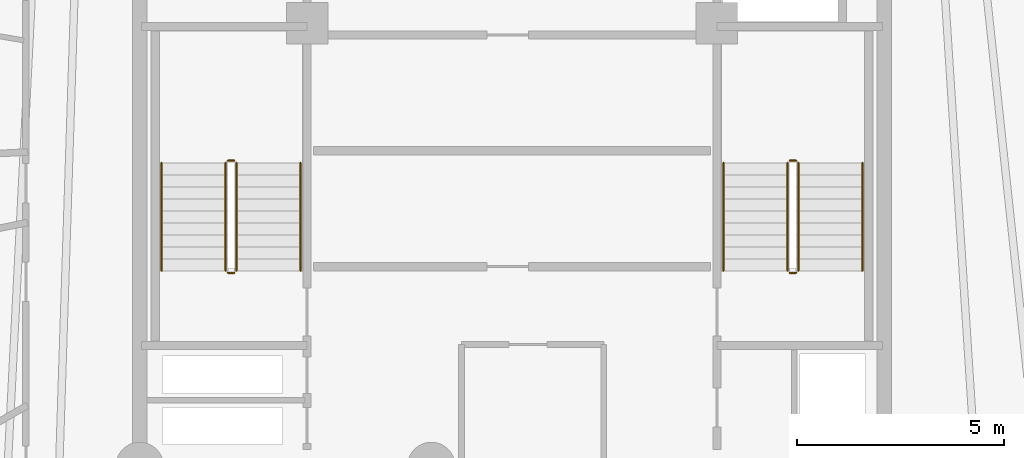
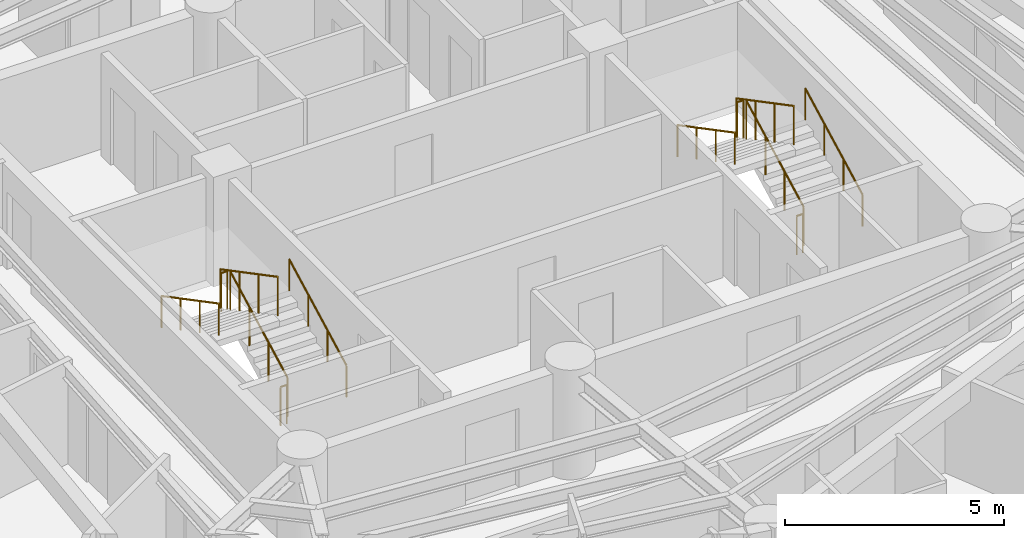
# One storey, part 7 of 7: 12 railings.
"""IFC4 building model written with IfcOpenShell, lengths in metres."""

from ifc_helpers import new_model, si_unit, direction, frame, origin, origin_2d, place, context, subcontext, project, spatial, circle, extrude, material, layer, layer_set, type_object, element, save


model = new_model("IFC4")

# Units and contexts
model_context = context("Model", 3, precision=1e-05, world=origin(), true_north=direction((0.0, 1.0)))
body_context = subcontext(model_context, "Body", "Model", "MODEL_VIEW")
ifc_project = project(units=[si_unit("LENGTHUNIT", "METRE"), si_unit("AREAUNIT", "SQUARE_METRE"), si_unit("VOLUMEUNIT", "CUBIC_METRE"), si_unit("PLANEANGLEUNIT", "RADIAN"), si_unit("MASSUNIT", "GRAM", prefix="KILO")], contexts=[model_context])

# Site, building, storey
site_placement = place(None, origin())
site = spatial("IfcSite", under=ifc_project, at=site_placement, CompositionType="ELEMENT")
building_placement = place(site_placement, origin())
building = spatial("IfcBuilding", under=site, at=building_placement, Name="Karkom Vertical University and Central Library", CompositionType="ELEMENT")
storey_placement = place(building_placement, frame((0.0, 0.0, 244.35009765625)))
storey = spatial("IfcBuildingStorey", under=building, at=storey_placement, Name="L72", CompositionType="ELEMENT", Elevation=244.35009765625)

# Railings
ifc_material_1 = material(Name="Painted galvanised steel balustrade", Category="steel")
ifc_layer_1 = layer(ifc_material_1, 0.06005859375)
ifc_layer_set_1 = layer_set([ifc_layer_1], Name="Painted galvanised steel balustrade")
railing_type_1 = type_object("IfcRailingType", Name="INT-RL-GUARD1100", PredefinedType="GUARDRAIL", material=ifc_layer_set_1)
railing_1_placement = place(storey_placement, frame((21.840087890625, 23.02001953125, 0.15234375)))
element("IfcRailing", 1, at=railing_1_placement, inside=storey, type_object=railing_type_1, Name="Level 72 ST-1 stair guard 1", PredefinedType="GUARDRAIL", context=body_context, shape_type="SweptSolid", body=[
    extrude(circle(Radius=0.02392578125, at=origin_2d()), frame((0.0, 0.0, 1.076171875), z_axis=(0.0, 0.885065446896, 0.46546659892), x_axis=(-1.0, 0.0, 0.0)), (0.0, 0.0, 1.0), 2.94873046875),
    extrude(circle(Radius=0.02099609375, at=origin_2d()), origin(), (0.0, 0.0, 1.0), 1.052001953125),
    extrude(circle(Radius=0.02099609375, at=origin_2d()), frame((0.0, 0.869873046875, 0.45751953125)), (0.0, 0.0, 1.0), 1.052001953125),
    extrude(circle(Radius=0.02099609375, at=origin_2d()), frame((0.0, 1.739990234375, 0.9150390625)), (0.0, 0.0, 1.0), 1.052001953125),
    extrude(circle(Radius=0.02099609375, at=origin_2d()), frame((0.0, 2.60986328125, 1.37255859375)), (0.0, 0.0, 1.0), 1.052001953125),
])
railing_2_placement = place(storey_placement, frame((21.7900390625, 25.679931640625, 1.52490234375)))
element("IfcRailing", 2, at=railing_2_placement, inside=storey, type_object=railing_type_1, Name="Level 72 ST-1 stair guard 2", PredefinedType="GUARDRAIL", context=body_context, shape_type="SweptSolid", body=[
    extrude(circle(Radius=0.02392578125, at=origin_2d()), frame((0.0, 0.0, 1.076171875), z_axis=(-1.0, 0.0, 0.0), x_axis=(0.0, -1.0, 0.0)), (0.0, 0.0, 1.0), 0.16015625),
    extrude(circle(Radius=0.02099609375, at=origin_2d()), origin(), (0.0, 0.0, 1.0), 1.052001953125),
    extrude(circle(Radius=0.02099609375, at=origin_2d()), frame((-0.16015625, 0.0, 0.0)), (0.0, 0.0, 1.0), 1.052001953125),
])
railing_3_placement = place(storey_placement, frame((21.580078125, 25.6298828125, 1.677490234375)))
element("IfcRailing", 3, at=railing_3_placement, inside=storey, type_object=railing_type_1, Name="Level 72 ST-1 stair guard 3", PredefinedType="GUARDRAIL", context=body_context, shape_type="SweptSolid", body=[
    extrude(circle(Radius=0.02392578125, at=origin_2d()), frame((0.0, 0.0, 1.076171875), z_axis=(0.0, -0.885099554253, 0.465401739426), x_axis=(1.0, 0.0, 0.0)), (0.0, 0.0, 1.0), 2.94873046875),
    extrude(circle(Radius=0.02099609375, at=origin_2d()), origin(), (0.0, 0.0, 1.0), 1.052001953125),
    extrude(circle(Radius=0.02099609375, at=origin_2d()), frame((0.0, -0.869873046875, 0.45751953125)), (0.0, 0.0, 1.0), 1.052001953125),
    extrude(circle(Radius=0.02099609375, at=origin_2d()), frame((0.0, -1.739990234375, 0.914794921875)), (0.0, 0.0, 1.0), 1.052001953125),
    extrude(circle(Radius=0.02099609375, at=origin_2d()), frame((0.0, -2.60986328125, 1.372314453125)), (0.0, 0.0, 1.0), 1.052001953125),
])
railing_4_placement = place(storey_placement, frame((21.7900390625, 22.969970703125, 0.0)))
element("IfcRailing", 4, at=railing_4_placement, inside=storey, type_object=railing_type_1, Name="Level 72 ST-1 stair guard 4", PredefinedType="GUARDRAIL", context=body_context, shape_type="SweptSolid", body=[
    extrude(circle(Radius=0.02392578125, at=origin_2d()), frame((0.0, 0.0, 1.076171875), z_axis=(-1.0, 0.0, 0.0), x_axis=(0.0, -1.0, 0.0)), (0.0, 0.0, 1.0), 0.16015625),
    extrude(circle(Radius=0.02099609375, at=origin_2d()), origin(), (0.0, 0.0, 1.0), 1.052001953125),
    extrude(circle(Radius=0.02099609375, at=origin_2d()), frame((-0.16015625, 0.0, 0.0)), (0.0, 0.0, 1.0), 1.052001953125),
])
railing_5_placement = place(storey_placement, frame((35.419921875, 23.02001953125, 0.15234375)))
element("IfcRailing", 5, at=railing_5_placement, inside=storey, type_object=railing_type_1, Name="Level 72 ST-2 stair guard 1", PredefinedType="GUARDRAIL", context=body_context, shape_type="SweptSolid", body=[
    extrude(circle(Radius=0.02392578125, at=origin_2d()), frame((0.0, 0.0, 1.076171875), z_axis=(0.0, 0.885065446896, 0.46546659892), x_axis=(-1.0, 0.0, 0.0)), (0.0, 0.0, 1.0), 2.94873046875),
    extrude(circle(Radius=0.02099609375, at=origin_2d()), origin(), (0.0, 0.0, 1.0), 1.052001953125),
    extrude(circle(Radius=0.02099609375, at=origin_2d()), frame((0.0, 0.869873046875, 0.45751953125)), (0.0, 0.0, 1.0), 1.052001953125),
    extrude(circle(Radius=0.02099609375, at=origin_2d()), frame((0.0, 1.739990234375, 0.9150390625)), (0.0, 0.0, 1.0), 1.052001953125),
    extrude(circle(Radius=0.02099609375, at=origin_2d()), frame((0.0, 2.60986328125, 1.37255859375)), (0.0, 0.0, 1.0), 1.052001953125),
])
railing_6_placement = place(storey_placement, frame((35.3701171875, 25.679931640625, 1.52490234375)))
element("IfcRailing", 6, at=railing_6_placement, inside=storey, type_object=railing_type_1, Name="Level 72 ST-2 stair guard 2", PredefinedType="GUARDRAIL", context=body_context, shape_type="SweptSolid", body=[
    extrude(circle(Radius=0.02392578125, at=origin_2d()), frame((0.0, 0.0, 1.076171875), z_axis=(-1.0, 0.0, 0.0), x_axis=(0.0, -1.0, 0.0)), (0.0, 0.0, 1.0), 0.16015625),
    extrude(circle(Radius=0.02099609375, at=origin_2d()), origin(), (0.0, 0.0, 1.0), 1.052001953125),
    extrude(circle(Radius=0.02099609375, at=origin_2d()), frame((-0.16015625, 0.0, 0.0)), (0.0, 0.0, 1.0), 1.052001953125),
])
railing_7_placement = place(storey_placement, frame((35.159912109375, 25.6298828125, 1.677490234375)))
element("IfcRailing", 7, at=railing_7_placement, inside=storey, type_object=railing_type_1, Name="Level 72 ST-2 stair guard 3", PredefinedType="GUARDRAIL", context=body_context, shape_type="SweptSolid", body=[
    extrude(circle(Radius=0.02392578125, at=origin_2d()), frame((0.0, 0.0, 1.076171875), z_axis=(0.0, -0.885099554253, 0.465401739426), x_axis=(1.0, 0.0, 0.0)), (0.0, 0.0, 1.0), 2.94873046875),
    extrude(circle(Radius=0.02099609375, at=origin_2d()), origin(), (0.0, 0.0, 1.0), 1.052001953125),
    extrude(circle(Radius=0.02099609375, at=origin_2d()), frame((0.0, -0.869873046875, 0.45751953125)), (0.0, 0.0, 1.0), 1.052001953125),
    extrude(circle(Radius=0.02099609375, at=origin_2d()), frame((0.0, -1.739990234375, 0.914794921875)), (0.0, 0.0, 1.0), 1.052001953125),
    extrude(circle(Radius=0.02099609375, at=origin_2d()), frame((0.0, -2.60986328125, 1.372314453125)), (0.0, 0.0, 1.0), 1.052001953125),
])
railing_8_placement = place(storey_placement, frame((35.3701171875, 22.969970703125, 0.0)))
element("IfcRailing", 8, at=railing_8_placement, inside=storey, type_object=railing_type_1, Name="Level 72 ST-2 stair guard 4", PredefinedType="GUARDRAIL", context=body_context, shape_type="SweptSolid", body=[
    extrude(circle(Radius=0.02392578125, at=origin_2d()), frame((0.0, 0.0, 1.076171875), z_axis=(-1.0, 0.0, 0.0), x_axis=(0.0, -1.0, 0.0)), (0.0, 0.0, 1.0), 0.16015625),
    extrude(circle(Radius=0.02099609375, at=origin_2d()), origin(), (0.0, 0.0, 1.0), 1.052001953125),
    extrude(circle(Radius=0.02099609375, at=origin_2d()), frame((-0.16015625, 0.0, 0.0)), (0.0, 0.0, 1.0), 1.052001953125),
])
ifc_material_2 = material(Name="Brushed stainless-steel tubular handrail", Category="steel")
ifc_layer_2 = layer(ifc_material_2, 0.048095703125)
ifc_layer_set_2 = layer_set([ifc_layer_2], Name="Brushed stainless-steel tubular handrail")
railing_type_2 = type_object("IfcRailingType", Name="INT-RL-HAND920", PredefinedType="HANDRAIL", material=ifc_layer_set_2)
railing_9_placement = place(storey_placement, frame((23.389892578125, 23.02001953125, 0.15234375)))
element("IfcRailing", 9, at=railing_9_placement, inside=storey, type_object=railing_type_2, Name="Level 72 ST-1 stair handrail 1", PredefinedType="HANDRAIL", context=body_context, shape_type="SweptSolid", body=[
    extrude(circle(Radius=0.02392578125, at=origin_2d()), frame((0.0, 0.0, 0.8759765625), z_axis=(0.0, 0.885065446896, 0.46546659892), x_axis=(-1.0, 0.0, 0.0)), (0.0, 0.0, 1.0), 2.94873046875),
    extrude(circle(Radius=0.02099609375, at=origin_2d()), origin(), (0.0, 0.0, 1.0), 0.851806640625),
    extrude(circle(Radius=0.02099609375, at=origin_2d()), frame((0.0, 0.869873046875, 0.45751953125)), (0.0, 0.0, 1.0), 0.851806640625),
    extrude(circle(Radius=0.02099609375, at=origin_2d()), frame((0.0, 1.739990234375, 0.9150390625)), (0.0, 0.0, 1.0), 0.851806640625),
    extrude(circle(Radius=0.02099609375, at=origin_2d()), frame((0.0, 2.60986328125, 1.37255859375)), (0.0, 0.0, 1.0), 0.851806640625),
])
railing_10_placement = place(storey_placement, frame((20.030029296875, 25.6298828125, 1.677490234375)))
element("IfcRailing", 10, at=railing_10_placement, inside=storey, type_object=railing_type_2, Name="Level 72 ST-1 stair handrail 2", PredefinedType="HANDRAIL", context=body_context, shape_type="SweptSolid", body=[
    extrude(circle(Radius=0.02392578125, at=origin_2d()), frame((0.0, 0.0, 0.8759765625), z_axis=(0.0, -0.885099554253, 0.465401739426), x_axis=(1.0, 0.0, 0.0)), (0.0, 0.0, 1.0), 2.94873046875),
    extrude(circle(Radius=0.02099609375, at=origin_2d()), origin(), (0.0, 0.0, 1.0), 0.851806640625),
    extrude(circle(Radius=0.02099609375, at=origin_2d()), frame((0.0, -0.869873046875, 0.45751953125)), (0.0, 0.0, 1.0), 0.851806640625),
    extrude(circle(Radius=0.02099609375, at=origin_2d()), frame((0.0, -1.739990234375, 0.914794921875)), (0.0, 0.0, 1.0), 0.851806640625),
    extrude(circle(Radius=0.02099609375, at=origin_2d()), frame((0.0, -2.60986328125, 1.372314453125)), (0.0, 0.0, 1.0), 0.851806640625),
])
railing_11_placement = place(storey_placement, frame((36.969970703125, 23.02001953125, 0.15234375)))
element("IfcRailing", 11, at=railing_11_placement, inside=storey, type_object=railing_type_2, Name="Level 72 ST-2 stair handrail 1", PredefinedType="HANDRAIL", context=body_context, shape_type="SweptSolid", body=[
    extrude(circle(Radius=0.02392578125, at=origin_2d()), frame((0.0, 0.0, 0.8759765625), z_axis=(0.0, 0.885065446896, 0.46546659892), x_axis=(-1.0, 0.0, 0.0)), (0.0, 0.0, 1.0), 2.94873046875),
    extrude(circle(Radius=0.02099609375, at=origin_2d()), origin(), (0.0, 0.0, 1.0), 0.851806640625),
    extrude(circle(Radius=0.02099609375, at=origin_2d()), frame((0.0, 0.869873046875, 0.45751953125)), (0.0, 0.0, 1.0), 0.851806640625),
    extrude(circle(Radius=0.02099609375, at=origin_2d()), frame((0.0, 1.739990234375, 0.9150390625)), (0.0, 0.0, 1.0), 0.851806640625),
    extrude(circle(Radius=0.02099609375, at=origin_2d()), frame((0.0, 2.60986328125, 1.37255859375)), (0.0, 0.0, 1.0), 0.851806640625),
])
railing_12_placement = place(storey_placement, frame((33.610107421875, 25.6298828125, 1.677490234375)))
element("IfcRailing", 12, at=railing_12_placement, inside=storey, type_object=railing_type_2, Name="Level 72 ST-2 stair handrail 2", PredefinedType="HANDRAIL", context=body_context, shape_type="SweptSolid", body=[
    extrude(circle(Radius=0.02392578125, at=origin_2d()), frame((0.0, 0.0, 0.8759765625), z_axis=(0.0, -0.885099554253, 0.465401739426), x_axis=(1.0, 0.0, 0.0)), (0.0, 0.0, 1.0), 2.94873046875),
    extrude(circle(Radius=0.02099609375, at=origin_2d()), origin(), (0.0, 0.0, 1.0), 0.851806640625),
    extrude(circle(Radius=0.02099609375, at=origin_2d()), frame((0.0, -0.869873046875, 0.45751953125)), (0.0, 0.0, 1.0), 0.851806640625),
    extrude(circle(Radius=0.02099609375, at=origin_2d()), frame((0.0, -1.739990234375, 0.914794921875)), (0.0, 0.0, 1.0), 0.851806640625),
    extrude(circle(Radius=0.02099609375, at=origin_2d()), frame((0.0, -2.60986328125, 1.372314453125)), (0.0, 0.0, 1.0), 0.851806640625),
])

save(model, "model.ifc")
